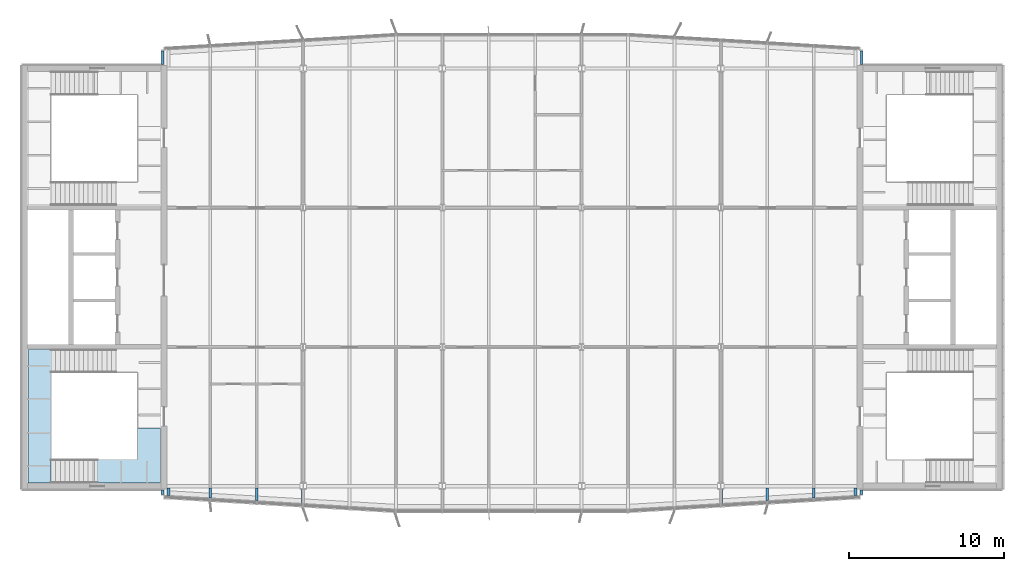
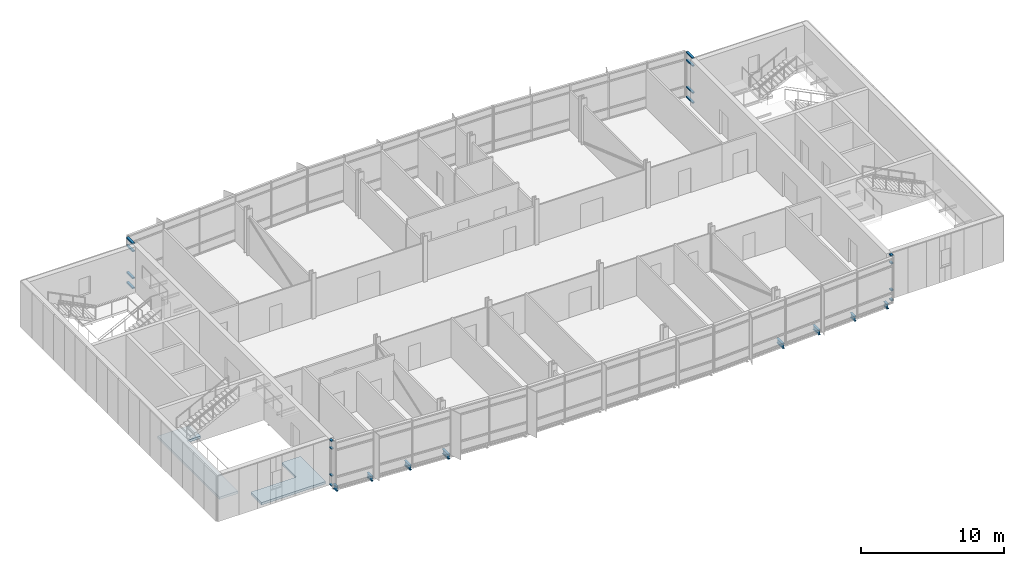
# One storey, part 9 of 21: 16 members, 8 beams, 2 slabs, 5 elements without a shape of their own.
"""IFC4 building model written with IfcOpenShell, lengths in metres."""

from ifc_helpers import new_model, si_unit, direction, frame, origin, origin_2d, place, context, subcontext, project, spatial, polyline, rectangle, i_section, outline, extrude, material, layer, layer_set, material_profile, profile_set, type_object, element, aggregate, save


model = new_model("IFC4")

# Units and contexts
model_context = context("Model", 3, precision=1e-05, world=origin(), true_north=direction((0.0, 1.0)))
body_context = subcontext(model_context, "Body", "Model", "MODEL_VIEW")
ifc_project = project(units=[si_unit("LENGTHUNIT", "METRE"), si_unit("AREAUNIT", "SQUARE_METRE"), si_unit("VOLUMEUNIT", "CUBIC_METRE"), si_unit("PLANEANGLEUNIT", "RADIAN"), si_unit("MASSUNIT", "GRAM", prefix="KILO")], contexts=[model_context])

# Site, building, storey
site_placement = place(None, origin())
site = spatial("IfcSite", under=ifc_project, at=site_placement, CompositionType="ELEMENT")
building_placement = place(site_placement, origin())
building = spatial("IfcBuilding", under=site, at=building_placement, Name="Azimuth Sports and Learning Centre", CompositionType="ELEMENT")
storey_placement = place(building_placement, frame((0.0, 0.0, 48.0)))
storey = spatial("IfcBuildingStorey", under=building, at=storey_placement, Name="L10", CompositionType="ELEMENT", Elevation=48.0)

# Beams
ifc_material_1 = material(Name="Steel S355", Category="steel")
ifc_material_profile_1 = material_profile(ifc_material_1, i_section(OverallWidth=0.179931640625, OverallDepth=0.39990234375, WebThickness=0.008544921875, FlangeThickness=0.013427734375, FilletRadius=0.02099609375, at=origin_2d()), Name="IPE 400")
ifc_profile_set_1 = profile_set([ifc_material_profile_1], Name="Steel S355")
beam_type = type_object("IfcBeamType", Name="Cantilever stub IPE 400", PredefinedType="JOIST", material=ifc_profile_set_1)
beam_1_placement = place(storey_placement, frame((63.2900390625, 89.89501953125, -0.330078125), z_axis=(0.0, -1.0, 0.0), x_axis=(1.0, 0.0, 0.0)))
element("IfcBeam", 1, at=beam_1_placement, inside=storey, type_object=beam_type, Name="Tower cantilever stub", PredefinedType="JOIST", context=body_context, shape_type="SweptSolid", body=[
    extrude(i_section(OverallWidth=0.179931640625, OverallDepth=0.39990234375, WebThickness=0.008544921875, FlangeThickness=0.013427734375, FilletRadius=0.02099609375, at=origin_2d()), origin(), (0.0, 0.0, 1.0), 0.492431640625),
])
beam_2_placement = place(storey_placement, frame((66.0, 89.89501953125, -0.330078125), z_axis=(0.0, -1.0, 0.0), x_axis=(1.0, 0.0, 0.0)))
element("IfcBeam", 2, at=beam_2_placement, inside=storey, type_object=beam_type, Name="Tower cantilever stub", PredefinedType="JOIST", context=body_context, shape_type="SweptSolid", body=[
    extrude(i_section(OverallWidth=0.179931640625, OverallDepth=0.39990234375, WebThickness=0.008544921875, FlangeThickness=0.013427734375, FilletRadius=0.02099609375, at=origin_2d()), origin(), (0.0, 0.0, 1.0), 0.655029296875),
])
beam_3_placement = place(storey_placement, frame((69.0, 89.89501953125, -0.330078125), z_axis=(0.0, -1.0, 0.0), x_axis=(1.0, 0.0, 0.0)))
element("IfcBeam", 3, at=beam_3_placement, inside=storey, type_object=beam_type, Name="Tower cantilever stub", PredefinedType="JOIST", context=body_context, shape_type="SweptSolid", body=[
    extrude(i_section(OverallWidth=0.179931640625, OverallDepth=0.39990234375, WebThickness=0.008544921875, FlangeThickness=0.013427734375, FilletRadius=0.02099609375, at=origin_2d()), origin(), (0.0, 0.0, 1.0), 0.8349609375),
])
for number, where, z_axis, x_axis, name in (
    (4, (72.0, 89.7724609375, -0.330078125), (0.0, -1.0, 0.0), (1.0, 0.0, 0.0), "Tower cantilever stub"),
    (5, (99.0, 89.7724609375, -0.330078125), (0.0, -1.0, 0.0), (1.0, 0.0, 0.0), "Tower cantilever stub"),
):
    element("IfcBeam", number, at=place(storey_placement, frame(where, z_axis=z_axis, x_axis=x_axis)), inside=storey, type_object=beam_type, Name=name, PredefinedType="JOIST", context=body_context, shape_type="SweptSolid", body=[
        extrude(i_section(OverallWidth=0.179931640625, OverallDepth=0.39990234375, WebThickness=0.008544921875, FlangeThickness=0.013427734375, FilletRadius=0.02099609375, at=origin_2d()), origin(), (0.0, 0.0, 1.0), 0.892578125),
    ])
beam_4_placement = place(storey_placement, frame((102.0, 89.89501953125, -0.330078125), z_axis=(0.0, -1.0, 0.0), x_axis=(1.0, 0.0, 0.0)))
element("IfcBeam", 6, at=beam_4_placement, inside=storey, type_object=beam_type, Name="Tower cantilever stub", PredefinedType="JOIST", context=body_context, shape_type="SweptSolid", body=[
    extrude(i_section(OverallWidth=0.179931640625, OverallDepth=0.39990234375, WebThickness=0.008544921875, FlangeThickness=0.013427734375, FilletRadius=0.02099609375, at=origin_2d()), origin(), (0.0, 0.0, 1.0), 0.8349609375),
])
beam_5_placement = place(storey_placement, frame((105.0, 89.89501953125, -0.330078125), z_axis=(0.0, -1.0, 0.0), x_axis=(1.0, 0.0, 0.0)))
element("IfcBeam", 7, at=beam_5_placement, inside=storey, type_object=beam_type, Name="Tower cantilever stub", PredefinedType="JOIST", context=body_context, shape_type="SweptSolid", body=[
    extrude(i_section(OverallWidth=0.179931640625, OverallDepth=0.39990234375, WebThickness=0.008544921875, FlangeThickness=0.013427734375, FilletRadius=0.02099609375, at=origin_2d()), origin(), (0.0, 0.0, 1.0), 0.655029296875),
])
beam_6_placement = place(storey_placement, frame((107.7099609375, 89.89501953125, -0.330078125), z_axis=(0.0, -1.0, 0.0), x_axis=(1.0, 0.0, 0.0)))
element("IfcBeam", 8, at=beam_6_placement, inside=storey, type_object=beam_type, Name="Tower cantilever stub", PredefinedType="JOIST", context=body_context, shape_type="SweptSolid", body=[
    extrude(i_section(OverallWidth=0.179931640625, OverallDepth=0.39990234375, WebThickness=0.008544921875, FlangeThickness=0.013427734375, FilletRadius=0.02099609375, at=origin_2d()), origin(), (0.0, 0.0, 1.0), 0.492431640625),
])

# Curtain wall, members
ifc_material_2 = material(Name="Aluminium and glass", Category="aluminium")
curtain_wall_type = type_object("IfcCurtainWallType", Name="Curtain wall tower return 180", PredefinedType="NOTDEFINED", material=ifc_material_2)
curtain_wall_1_placement = place(storey_placement, origin())
curtain_wall_1 = element("IfcCurtainWall", 9, at=curtain_wall_1_placement, inside=storey, type_object=curtain_wall_type, Name="Curtain wall CW10-001", PredefinedType="NOTDEFINED")
ifc_material_3 = material(Name="Aluminium", Category="aluminium")
ifc_material_profile_2 = material_profile(ifc_material_3, rectangle(XDim=0.179931640625, YDim=0.10009765625, at=origin_2d()), Name="Transom 100x180")
ifc_profile_set_2 = profile_set([ifc_material_profile_2], Name="Aluminium")
member_type = type_object("IfcMemberType", Name="Transom 100x180", PredefinedType="USERDEFINED", material=ifc_profile_set_2)
member_1_placement = place(storey_placement, frame((62.909912109375, 89.739990234375, 0.050048828125), z_axis=(0.0, -1.0, 0.0), x_axis=(1.0, 0.0, 0.0)))
member_1 = element("IfcMember", 10, at=member_1_placement, type_object=member_type, Name="CW10-001 transom 1.1", ObjectType="TRANSOM", PredefinedType="USERDEFINED", context=body_context, shape_type="SweptSolid", body=[
    extrude(rectangle(XDim=0.179931640625, YDim=0.10009765625, at=origin_2d()), origin(), (0.0, 0.0, 1.0), 0.280029296875),
])
member_2_placement = place(storey_placement, frame((62.909912109375, 89.739990234375, 0.89990234375), z_axis=(0.0, -1.0, 0.0), x_axis=(1.0, 0.0, 0.0)))
member_2 = element("IfcMember", 11, at=member_2_placement, type_object=member_type, Name="CW10-001 transom 1.2", ObjectType="TRANSOM", PredefinedType="USERDEFINED", context=body_context, shape_type="SweptSolid", body=[
    extrude(rectangle(XDim=0.179931640625, YDim=0.10009765625, at=origin_2d()), origin(), (0.0, 0.0, 1.0), 0.280029296875),
])
member_3_placement = place(storey_placement, frame((62.909912109375, 89.739990234375, 3.199951171875), z_axis=(0.0, -1.0, 0.0), x_axis=(1.0, 0.0, 0.0)))
member_3 = element("IfcMember", 12, at=member_3_placement, type_object=member_type, Name="CW10-001 transom 1.3", ObjectType="TRANSOM", PredefinedType="USERDEFINED", context=body_context, shape_type="SweptSolid", body=[
    extrude(rectangle(XDim=0.179931640625, YDim=0.10009765625, at=origin_2d()), origin(), (0.0, 0.0, 1.0), 0.280029296875),
])
member_4_placement = place(storey_placement, frame((62.909912109375, 89.739990234375, 3.85009765625), z_axis=(0.0, -1.0, 0.0), x_axis=(1.0, 0.0, 0.0)))
member_4 = element("IfcMember", 13, at=member_4_placement, type_object=member_type, Name="CW10-001 transom 1.4", ObjectType="TRANSOM", PredefinedType="USERDEFINED", context=body_context, shape_type="SweptSolid", body=[
    extrude(rectangle(XDim=0.179931640625, YDim=0.10009765625, at=origin_2d()), origin(), (0.0, 0.0, 1.0), 0.280029296875),
])
aggregate(curtain_wall_1, [member_1, member_2, member_3, member_4])

curtain_wall_2_placement = place(storey_placement, origin())
curtain_wall_2 = element("IfcCurtainWall", 14, at=curtain_wall_2_placement, inside=storey, type_object=curtain_wall_type, Name="Curtain wall CW10-005", PredefinedType="NOTDEFINED")
member_5_placement = place(storey_placement, frame((108.090087890625, 89.4599609375, 0.050048828125), z_axis=(0.0, 1.0, 0.0), x_axis=(-1.0, 0.0, 0.0)))
member_5 = element("IfcMember", 15, at=member_5_placement, type_object=member_type, Name="CW10-005 transom 1.1", ObjectType="TRANSOM", PredefinedType="USERDEFINED", context=body_context, shape_type="SweptSolid", body=[
    extrude(rectangle(XDim=0.179931640625, YDim=0.10009765625, at=origin_2d()), origin(), (0.0, 0.0, 1.0), 0.280029296875),
])
member_6_placement = place(storey_placement, frame((108.090087890625, 89.4599609375, 0.89990234375), z_axis=(0.0, 1.0, 0.0), x_axis=(-1.0, 0.0, 0.0)))
member_6 = element("IfcMember", 16, at=member_6_placement, type_object=member_type, Name="CW10-005 transom 1.2", ObjectType="TRANSOM", PredefinedType="USERDEFINED", context=body_context, shape_type="SweptSolid", body=[
    extrude(rectangle(XDim=0.179931640625, YDim=0.10009765625, at=origin_2d()), origin(), (0.0, 0.0, 1.0), 0.280029296875),
])
member_7_placement = place(storey_placement, frame((108.090087890625, 89.4599609375, 3.199951171875), z_axis=(0.0, 1.0, 0.0), x_axis=(-1.0, 0.0, 0.0)))
member_7 = element("IfcMember", 17, at=member_7_placement, type_object=member_type, Name="CW10-005 transom 1.3", ObjectType="TRANSOM", PredefinedType="USERDEFINED", context=body_context, shape_type="SweptSolid", body=[
    extrude(rectangle(XDim=0.179931640625, YDim=0.10009765625, at=origin_2d()), origin(), (0.0, 0.0, 1.0), 0.280029296875),
])
member_8_placement = place(storey_placement, frame((108.090087890625, 89.4599609375, 3.85009765625), z_axis=(0.0, 1.0, 0.0), x_axis=(-1.0, 0.0, 0.0)))
member_8 = element("IfcMember", 18, at=member_8_placement, type_object=member_type, Name="CW10-005 transom 1.4", ObjectType="TRANSOM", PredefinedType="USERDEFINED", context=body_context, shape_type="SweptSolid", body=[
    extrude(rectangle(XDim=0.179931640625, YDim=0.10009765625, at=origin_2d()), origin(), (0.0, 0.0, 1.0), 0.280029296875),
])
aggregate(curtain_wall_2, [member_5, member_6, member_7, member_8])

curtain_wall_3_placement = place(storey_placement, origin())
curtain_wall_3 = element("IfcCurtainWall", 19, at=curtain_wall_3_placement, inside=storey, type_object=curtain_wall_type, Name="Curtain wall CW10-006", PredefinedType="NOTDEFINED")
member_9_placement = place(storey_placement, frame((108.090087890625, 117.260009765625, 0.050048828125), z_axis=(0.0, 1.0, 0.0), x_axis=(-1.0, 0.0, 0.0)))
member_9 = element("IfcMember", 20, at=member_9_placement, type_object=member_type, Name="CW10-006 transom 1.1", ObjectType="TRANSOM", PredefinedType="USERDEFINED", context=body_context, shape_type="SweptSolid", body=[
    extrude(rectangle(XDim=0.179931640625, YDim=0.10009765625, at=origin_2d()), origin(), (0.0, 0.0, 1.0), 0.8798828125),
])
member_10_placement = place(storey_placement, frame((108.090087890625, 117.260009765625, 0.89990234375), z_axis=(0.0, 1.0, 0.0), x_axis=(-1.0, 0.0, 0.0)))
member_10 = element("IfcMember", 21, at=member_10_placement, type_object=member_type, Name="CW10-006 transom 1.2", ObjectType="TRANSOM", PredefinedType="USERDEFINED", context=body_context, shape_type="SweptSolid", body=[
    extrude(rectangle(XDim=0.179931640625, YDim=0.10009765625, at=origin_2d()), origin(), (0.0, 0.0, 1.0), 0.8798828125),
])
member_11_placement = place(storey_placement, frame((108.090087890625, 117.260009765625, 3.199951171875), z_axis=(0.0, 1.0, 0.0), x_axis=(-1.0, 0.0, 0.0)))
member_11 = element("IfcMember", 22, at=member_11_placement, type_object=member_type, Name="CW10-006 transom 1.3", ObjectType="TRANSOM", PredefinedType="USERDEFINED", context=body_context, shape_type="SweptSolid", body=[
    extrude(rectangle(XDim=0.179931640625, YDim=0.10009765625, at=origin_2d()), origin(), (0.0, 0.0, 1.0), 0.8798828125),
])
member_12_placement = place(storey_placement, frame((108.090087890625, 117.260009765625, 3.85009765625), z_axis=(0.0, 1.0, 0.0), x_axis=(-1.0, 0.0, 0.0)))
member_12 = element("IfcMember", 23, at=member_12_placement, type_object=member_type, Name="CW10-006 transom 1.4", ObjectType="TRANSOM", PredefinedType="USERDEFINED", context=body_context, shape_type="SweptSolid", body=[
    extrude(rectangle(XDim=0.179931640625, YDim=0.10009765625, at=origin_2d()), origin(), (0.0, 0.0, 1.0), 0.8798828125),
])
aggregate(curtain_wall_3, [member_9, member_10, member_11, member_12])

curtain_wall_4_placement = place(storey_placement, origin())
curtain_wall_4 = element("IfcCurtainWall", 24, at=curtain_wall_4_placement, inside=storey, type_object=curtain_wall_type, Name="Curtain wall CW10-010", PredefinedType="NOTDEFINED")
member_13_placement = place(storey_placement, frame((62.909912109375, 118.139892578125, 0.050048828125), z_axis=(0.0, -1.0, 0.0), x_axis=(1.0, 0.0, 0.0)))
member_13 = element("IfcMember", 25, at=member_13_placement, type_object=member_type, Name="CW10-010 transom 1.1", ObjectType="TRANSOM", PredefinedType="USERDEFINED", context=body_context, shape_type="SweptSolid", body=[
    extrude(rectangle(XDim=0.179931640625, YDim=0.10009765625, at=origin_2d()), origin(), (0.0, 0.0, 1.0), 0.8798828125),
])
member_14_placement = place(storey_placement, frame((62.909912109375, 118.139892578125, 0.89990234375), z_axis=(0.0, -1.0, 0.0), x_axis=(1.0, 0.0, 0.0)))
member_14 = element("IfcMember", 26, at=member_14_placement, type_object=member_type, Name="CW10-010 transom 1.2", ObjectType="TRANSOM", PredefinedType="USERDEFINED", context=body_context, shape_type="SweptSolid", body=[
    extrude(rectangle(XDim=0.179931640625, YDim=0.10009765625, at=origin_2d()), origin(), (0.0, 0.0, 1.0), 0.8798828125),
])
member_15_placement = place(storey_placement, frame((62.909912109375, 118.139892578125, 3.199951171875), z_axis=(0.0, -1.0, 0.0), x_axis=(1.0, 0.0, 0.0)))
member_15 = element("IfcMember", 27, at=member_15_placement, type_object=member_type, Name="CW10-010 transom 1.3", ObjectType="TRANSOM", PredefinedType="USERDEFINED", context=body_context, shape_type="SweptSolid", body=[
    extrude(rectangle(XDim=0.179931640625, YDim=0.10009765625, at=origin_2d()), origin(), (0.0, 0.0, 1.0), 0.8798828125),
])
member_16_placement = place(storey_placement, frame((62.909912109375, 118.139892578125, 3.85009765625), z_axis=(0.0, -1.0, 0.0), x_axis=(1.0, 0.0, 0.0)))
member_16 = element("IfcMember", 28, at=member_16_placement, type_object=member_type, Name="CW10-010 transom 1.4", ObjectType="TRANSOM", PredefinedType="USERDEFINED", context=body_context, shape_type="SweptSolid", body=[
    extrude(rectangle(XDim=0.179931640625, YDim=0.10009765625, at=origin_2d()), origin(), (0.0, 0.0, 1.0), 0.8798828125),
])
aggregate(curtain_wall_4, [member_13, member_14, member_15, member_16])

# Stair, slabs
ifc_material_4 = material(Name="Concrete C32/40", Category="concrete")
stair_type = type_object("IfcStairType", Name="Square-well stair core 3900 storey", PredefinedType="THREE_QUARTER_TURN_STAIR", material=ifc_material_4)
stair_placement = place(storey_placement, origin())
stair = element("IfcStair", 29, at=stair_placement, inside=storey, type_object=stair_type, Name="Stair W1 L10-L11", PredefinedType="THREE_QUARTER_TURN_STAIR")
ifc_material_5 = material(Name="Concrete C32/40", Category="concrete")
ifc_layer = layer(ifc_material_5, 0.199951171875)
ifc_layer_set = layer_set([ifc_layer], Name="Concrete C32/40")
slab_type = type_object("IfcSlabType", Name="Concrete stair landing", PredefinedType="LANDING", material=ifc_layer_set)
slab_1_placement = place(storey_placement, frame((0.0, 0.0, -0.199951171875)))
slab_1 = element("IfcSlab", 30, at=slab_1_placement, type_object=slab_type, Name="Stair W1 L10 landing 1", PredefinedType="LANDING", context=body_context, shape_type="SweptSolid", body=[
    extrude(outline(polyline([(62.7900390625, 90.2099609375), (62.7900390625, 93.75), (61.2900390625, 93.75), (61.2900390625, 91.7099609375), (57.610107421875, 91.7099609375), (57.610107421875, 90.2099609375), (62.7900390625, 90.2099609375)])), origin(), (0.0, 0.0, 1.0), 0.199951171875),
])
slab_2_placement = place(storey_placement, frame((0.0, 0.0, 1.449951171875)))
slab_2 = element("IfcSlab", 31, at=slab_2_placement, type_object=slab_type, Name="Stair W1 L10 landing 2", PredefinedType="LANDING", context=body_context, shape_type="SweptSolid", body=[
    extrude(outline(polyline([(55.7099609375, 91.7099609375), (55.7099609375, 97.340087890625), (56.81005859375, 97.340087890625), (56.81005859375, 98.840087890625), (54.2099609375, 98.840087890625), (54.2099609375, 90.2099609375), (55.710693359375, 90.2099609375), (55.710693359375, 91.7099609375), (55.7099609375, 91.7099609375)])), origin(), (0.0, 0.0, 1.0), 0.199951171875),
])
aggregate(stair, [slab_1, slab_2])

save(model, "model.ifc")
